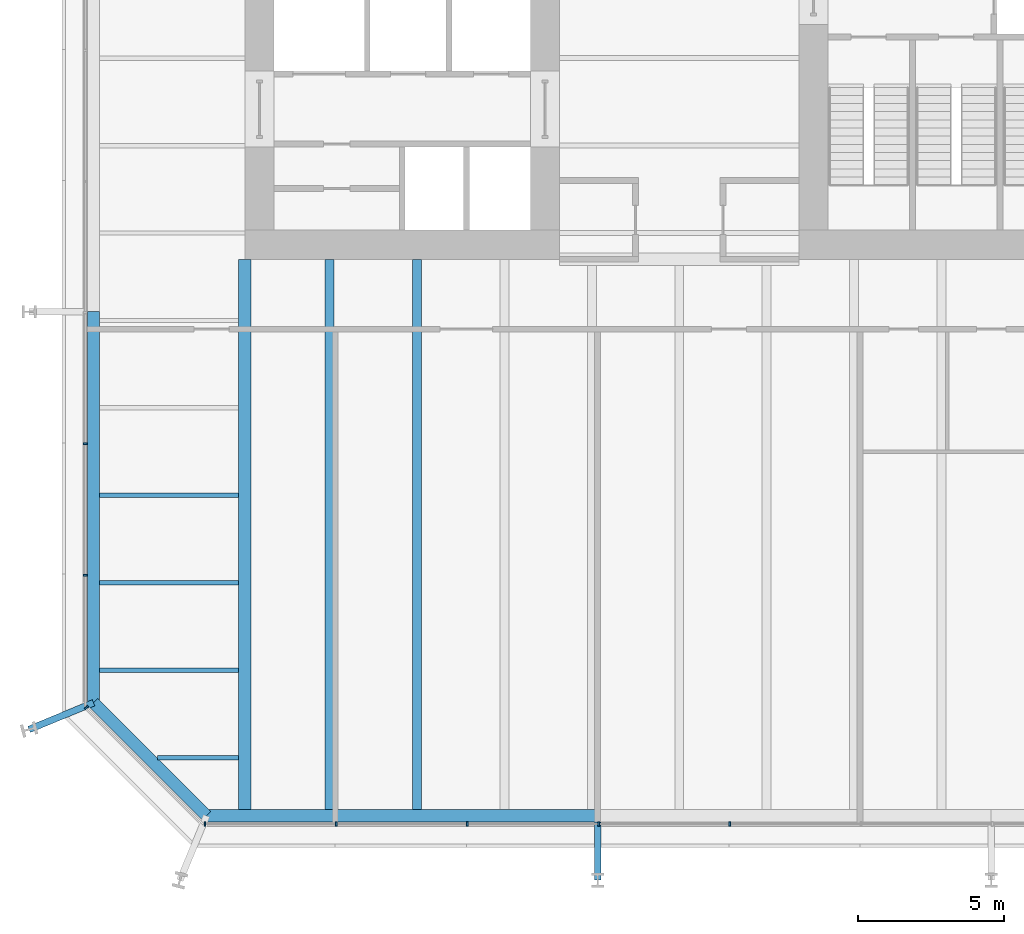
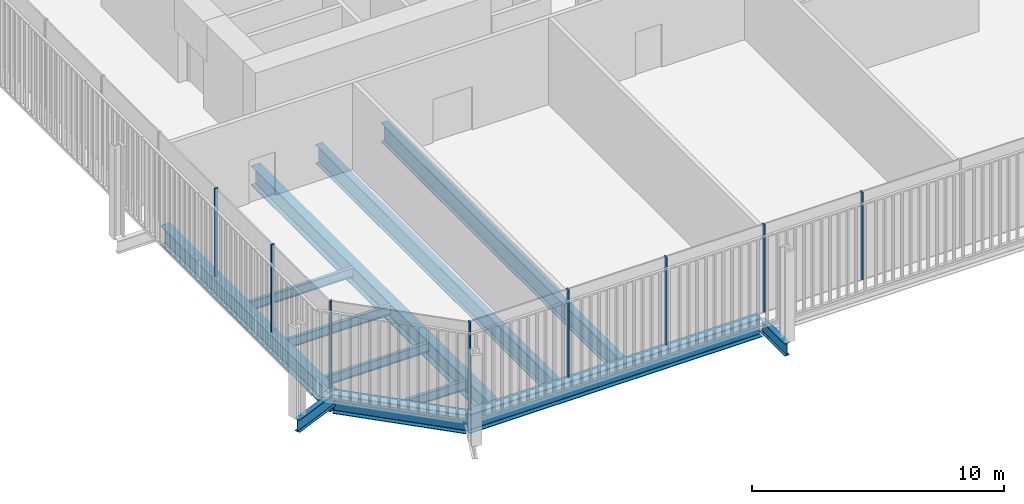
# One storey, part 2 of 20: 12 beams, 8 members, 3 elements without a shape of their own.
"""IFC4 building model written with IfcOpenShell, lengths in metres."""

from ifc_helpers import new_model, si_unit, direction, frame, origin, origin_2d, place, context, subcontext, project, spatial, rectangle, i_section, extrude, material, layer, layer_set, material_profile, profile_set, type_object, element, aggregate, save


model = new_model("IFC4")

# Units and contexts
model_context = context("Model", 3, precision=1e-05, world=origin(), true_north=direction((0.0, 1.0)))
body_context = subcontext(model_context, "Body", "Model", "MODEL_VIEW")
ifc_project = project(units=[si_unit("LENGTHUNIT", "METRE"), si_unit("AREAUNIT", "SQUARE_METRE"), si_unit("VOLUMEUNIT", "CUBIC_METRE"), si_unit("PLANEANGLEUNIT", "RADIAN"), si_unit("MASSUNIT", "GRAM", prefix="KILO")], contexts=[model_context])

# Site, building, storey
site_placement = place(None, origin())
site = spatial("IfcSite", under=ifc_project, at=site_placement, CompositionType="ELEMENT")
building_placement = place(site_placement, origin())
building = spatial("IfcBuilding", under=site, at=building_placement, Name="Millrace Tower", CompositionType="ELEMENT")
storey_placement = place(building_placement, frame((0.0, 0.0, 99.60009765625)))
storey = spatial("IfcBuildingStorey", under=building, at=storey_placement, Name="L22", CompositionType="ELEMENT", Elevation=99.60009765625)

# Curtain wall, member
ifc_material_1 = material(Name="Aluminium and glass", Category="aluminium")
ifc_layer = layer(ifc_material_1, 0.14990234375)
ifc_layer_set = layer_set([ifc_layer], Name="Aluminium and glass")
curtain_wall_type = type_object("IfcCurtainWallType", Name="CW-3 telecom floor curtain wall", PredefinedType="NOTDEFINED", material=ifc_layer_set)
placement = place(storey_placement, origin())
curtain_wall_1 = element("IfcCurtainWall", 1, at=placement, inside=storey, type_object=curtain_wall_type, Name="Curtain wall B-F01 L22", PredefinedType="NOTDEFINED")
ifc_material_2 = material(Name="Aluminium", Category="aluminium")
ifc_material_profile_1 = material_profile(ifc_material_2, rectangle(XDim=0.06494140625, YDim=0.14990234375, at=origin_2d()))
ifc_profile_set_1 = profile_set([ifc_material_profile_1], Name="Aluminium")
member_type = type_object("IfcMemberType", Name="CW-3 telecom floor curtain wall mullion", PredefinedType="MULLION", material=ifc_profile_set_1)
member_1_placement = place(storey_placement, frame((-20.330078125, -25.276123046875, 0.14990234375), z_axis=(0.0, 0.0, 1.0), x_axis=(0.707106781187, -0.707106781187, 0.0)))
member_1 = element("IfcMember", 2, at=member_1_placement, type_object=member_type, Name="CW3 mullion B-F01.1", PredefinedType="MULLION", context=body_context, shape_type="SweptSolid", body=[
    extrude(rectangle(XDim=0.06494140625, YDim=0.14990234375, at=origin_2d()), origin(), (0.0, 0.0, 1.0), 4.25),
])
aggregate(curtain_wall_1, [member_1])

# Curtain wall, members
curtain_wall_2 = element("IfcCurtainWall", 3, at=placement, inside=storey, type_object=curtain_wall_type, Name="Curtain wall B-F02 L22", PredefinedType="NOTDEFINED")
member_2_placement = place(storey_placement, frame((-16.267578125, -29.27490234375, 0.14990234375), z_axis=(0.0, 0.0, 1.0), x_axis=(1.0, 0.0, 0.0)))
member_2 = element("IfcMember", 4, at=member_2_placement, type_object=member_type, Name="CW3 mullion B-F02.1", PredefinedType="MULLION", context=body_context, shape_type="SweptSolid", body=[
    extrude(rectangle(XDim=0.06494140625, YDim=0.14990234375, at=origin_2d()), origin(), (0.0, 0.0, 1.0), 4.25),
])
member_3_placement = place(storey_placement, frame((-11.767578125, -29.27490234375, 0.14990234375), z_axis=(0.0, 0.0, 1.0), x_axis=(1.0, 0.0, 0.0)))
member_3 = element("IfcMember", 5, at=member_3_placement, type_object=member_type, Name="CW3 mullion B-F02.2", PredefinedType="MULLION", context=body_context, shape_type="SweptSolid", body=[
    extrude(rectangle(XDim=0.06494140625, YDim=0.14990234375, at=origin_2d()), origin(), (0.0, 0.0, 1.0), 4.25),
])
member_4_placement = place(storey_placement, frame((-7.267578125, -29.27490234375, 0.14990234375), z_axis=(0.0, 0.0, 1.0), x_axis=(1.0, 0.0, 0.0)))
member_4 = element("IfcMember", 6, at=member_4_placement, type_object=member_type, Name="CW3 mullion B-F02.3", PredefinedType="MULLION", context=body_context, shape_type="SweptSolid", body=[
    extrude(rectangle(XDim=0.06494140625, YDim=0.14990234375, at=origin_2d()), origin(), (0.0, 0.0, 1.0), 4.25),
])
member_5_placement = place(storey_placement, frame((-2.767578125, -29.27490234375, 0.14990234375), z_axis=(0.0, 0.0, 1.0), x_axis=(1.0, 0.0, 0.0)))
member_5 = element("IfcMember", 7, at=member_5_placement, type_object=member_type, Name="CW3 mullion B-F02.4", PredefinedType="MULLION", context=body_context, shape_type="SweptSolid", body=[
    extrude(rectangle(XDim=0.06494140625, YDim=0.14990234375, at=origin_2d()), origin(), (0.0, 0.0, 1.0), 4.25),
])
member_6_placement = place(storey_placement, frame((1.732421875, -29.27490234375, 0.14990234375), z_axis=(0.0, 0.0, 1.0), x_axis=(1.0, 0.0, 0.0)))
member_6 = element("IfcMember", 8, at=member_6_placement, type_object=member_type, Name="CW3 mullion B-F02.5", PredefinedType="MULLION", context=body_context, shape_type="SweptSolid", body=[
    extrude(rectangle(XDim=0.06494140625, YDim=0.14990234375, at=origin_2d()), origin(), (0.0, 0.0, 1.0), 4.25),
])
aggregate(curtain_wall_2, [member_2, member_3, member_4, member_5, member_6])

curtain_wall_3 = element("IfcCurtainWall", 9, at=placement, inside=storey, type_object=curtain_wall_type, Name="Curtain wall B-F08 L22", PredefinedType="NOTDEFINED")
member_7_placement = place(storey_placement, frame((-20.375, -16.232421875, 0.14990234375), z_axis=(0.0, 0.0, 1.0), x_axis=(0.0, -1.0, 0.0)))
member_7 = element("IfcMember", 10, at=member_7_placement, type_object=member_type, Name="CW3 mullion B-F08.8", PredefinedType="MULLION", context=body_context, shape_type="SweptSolid", body=[
    extrude(rectangle(XDim=0.06494140625, YDim=0.14990234375, at=origin_2d()), origin(), (0.0, 0.0, 1.0), 4.25),
])
member_8_placement = place(storey_placement, frame((-20.375, -20.732421875, 0.14990234375), z_axis=(0.0, 0.0, 1.0), x_axis=(0.0, -1.0, 0.0)))
member_8 = element("IfcMember", 11, at=member_8_placement, type_object=member_type, Name="CW3 mullion B-F08.9", PredefinedType="MULLION", context=body_context, shape_type="SweptSolid", body=[
    extrude(rectangle(XDim=0.06494140625, YDim=0.14990234375, at=origin_2d()), origin(), (0.0, 0.0, 1.0), 4.25),
])
aggregate(curtain_wall_3, [member_7, member_8])

# Beams
ifc_material_3 = material(Name="Steel ASTM A992 Grade 50", Category="steel")
ifc_material_profile_2 = material_profile(ifc_material_3, i_section(OverallWidth=0.15234375, OverallDepth=0.449462890625, WebThickness=0.007568359375, FlangeThickness=0.0107421875, FilletRadius=0.01025390625, at=origin_2d()))
ifc_profile_set_2 = profile_set([ifc_material_profile_2], Name="Steel ASTM A992 Grade 50")
beam_type_1 = type_object("IfcBeamType", Name="Floor beam W18x35", PredefinedType="JOIST", material=ifc_profile_set_2)
for number, where, z_axis, x_axis, name in (
    (12, (-19.880859375, -24.0, -0.4248046875), (1.0, 0.0, 0.0), (0.0, 1.0, 0.0), "BM-B-L22-S1-S003"),
    (13, (-19.880859375, -21.0, -0.4248046875), (1.0, 0.0, 0.0), (0.0, 1.0, 0.0), "BM-B-L22-S1-S005"),
    (14, (-19.880859375, -18.0, -0.4248046875), (1.0, 0.0, 0.0), (0.0, 1.0, 0.0), "BM-B-L22-S1-S007"),
):
    element("IfcBeam", number, at=place(storey_placement, frame(where, z_axis=z_axis, x_axis=x_axis)), inside=storey, type_object=beam_type_1, Name=name, PredefinedType="JOIST", context=body_context, shape_type="SweptSolid", body=[
        extrude(i_section(OverallWidth=0.15234375, OverallDepth=0.449462890625, WebThickness=0.007568359375, FlangeThickness=0.0107421875, FilletRadius=0.01025390625, at=origin_2d()), origin(), (0.0, 0.0, 1.0), 4.77001953125),
    ])
beam_1_placement = place(storey_placement, frame((-17.895263671875, -27.0, -0.4248046875), z_axis=(1.0, 0.0, 0.0), x_axis=(0.0, 1.0, 0.0)))
element("IfcBeam", 15, at=beam_1_placement, inside=storey, type_object=beam_type_1, Name="BM-B-L22-S1-S001", PredefinedType="JOIST", context=body_context, shape_type="SweptSolid", body=[
    extrude(i_section(OverallWidth=0.15234375, OverallDepth=0.449462890625, WebThickness=0.007568359375, FlangeThickness=0.0107421875, FilletRadius=0.01025390625, at=origin_2d()), origin(), (0.0, 0.0, 1.0), 2.784423828125),
])
ifc_material_4 = material(Name="Steel ASTM A992 Grade 50", Category="steel")
ifc_material_profile_3 = material_profile(ifc_material_4, i_section(OverallWidth=0.307373046875, OverallDepth=0.927001953125, WebThickness=0.01953125, FlangeThickness=0.031982421875, FilletRadius=0.01904296875, at=origin_2d()))
ifc_profile_set_3 = profile_set([ifc_material_profile_3], Name="Steel ASTM A992 Grade 50")
beam_type_2 = type_object("IfcBeamType", Name="Floor beam W36x194", PredefinedType="JOIST", material=ifc_profile_set_3)
for number, where, z_axis, x_axis, name in (
    (16, (-12.0, -28.781005859375, -0.66357421875), (0.0, 1.0, 0.0), (-1.0, 0.0, 0.0), "BM-B-L22-S1-S041"),
    (17, (-9.0, -28.781005859375, -0.66357421875), (0.0, 1.0, 0.0), (-1.0, 0.0, 0.0), "BM-B-L22-S1-S043"),
):
    element("IfcBeam", number, at=place(storey_placement, frame(where, z_axis=z_axis, x_axis=x_axis)), inside=storey, type_object=beam_type_2, Name=name, PredefinedType="JOIST", context=body_context, shape_type="SweptSolid", body=[
        extrude(i_section(OverallWidth=0.307373046875, OverallDepth=0.927001953125, WebThickness=0.01953125, FlangeThickness=0.031982421875, FilletRadius=0.01904296875, at=origin_2d()), origin(), (0.0, 0.0, 1.0), 18.881103515625),
    ])
ifc_material_5 = material(Name="Steel ASTM A992 Grade 50", Category="steel")
ifc_material_profile_4 = material_profile(ifc_material_5, i_section(OverallWidth=0.424072265625, OverallDepth=0.947509765625, WebThickness=0.02392578125, FlangeThickness=0.042724609375, FilletRadius=0.024169921875, at=origin_2d()))
ifc_profile_set_4 = profile_set([ifc_material_profile_4], Name="Steel ASTM A992 Grade 50")
beam_type_3 = type_object("IfcBeamType", Name="Girder medium span W36x302", PredefinedType="BEAM", material=ifc_profile_set_4)
beam_2_placement = place(storey_placement, frame((-14.89990234375, -28.781005859375, -0.673828125), z_axis=(0.0, 1.0, 0.0), x_axis=(-1.0, 0.0, 0.0)))
element("IfcBeam", 18, at=beam_2_placement, inside=storey, type_object=beam_type_3, Name="BM-B-L22-S1-G059", PredefinedType="BEAM", context=body_context, shape_type="SweptSolid", body=[
    extrude(i_section(OverallWidth=0.424072265625, OverallDepth=0.947509765625, WebThickness=0.02392578125, FlangeThickness=0.042724609375, FilletRadius=0.024169921875, at=origin_2d()), origin(), (0.0, 0.0, 1.0), 18.881103515625),
])
ifc_material_6 = material(Name="Steel ASTM A992 Grade 50", Category="steel")
ifc_material_profile_5 = material_profile(ifc_material_6, i_section(OverallWidth=0.23046875, OverallDepth=0.6171875, WebThickness=0.01318359375, FlangeThickness=0.022216796875, FilletRadius=0.012939453125, at=origin_2d()))
ifc_profile_set_5 = profile_set([ifc_material_profile_5], Name="Steel ASTM A992 Grade 50")
beam_type_4 = type_object("IfcBeamType", Name="Link beam W24x94", PredefinedType="BEAM", material=ifc_profile_set_5)
beam_3_placement = place(storey_placement, frame((-20.09033203125, -25.11328125, -0.5087890625), z_axis=(-0.923917312949, -0.382592209583, 0.0), x_axis=(0.382592209583, -0.923917312949, 0.0)))
element("IfcBeam", 19, at=beam_3_placement, inside=storey, type_object=beam_type_4, Name="LNK-B-L22-S1-01", PredefinedType="BEAM", context=body_context, shape_type="SweptSolid", body=[
    extrude(i_section(OverallWidth=0.23046875, OverallDepth=0.6171875, WebThickness=0.01318359375, FlangeThickness=0.022216796875, FilletRadius=0.012939453125, at=origin_2d()), origin(), (0.0, 0.0, 1.0), 2.3916015625),
])
beam_4_placement = place(storey_placement, frame((-2.800048828125, -29.199951171875, -0.5087890625), z_axis=(0.0, -1.0, 0.0), x_axis=(1.0, 0.0, 0.0)))
element("IfcBeam", 20, at=beam_4_placement, inside=storey, type_object=beam_type_4, Name="LNK-B-L22-S1-15", PredefinedType="BEAM", context=body_context, shape_type="SweptSolid", body=[
    extrude(i_section(OverallWidth=0.23046875, OverallDepth=0.6171875, WebThickness=0.01318359375, FlangeThickness=0.022216796875, FilletRadius=0.012939453125, at=origin_2d()), origin(), (0.0, 0.0, 1.0), 2.0),
])
ifc_material_7 = material(Name="Steel ASTM A992 Grade 50", Category="steel")
ifc_material_profile_6 = material_profile(ifc_material_7, i_section(OverallWidth=0.419189453125, OverallDepth=0.927001953125, WebThickness=0.019287109375, FlangeThickness=0.031982421875, FilletRadius=0.024169921875, at=origin_2d()))
ifc_profile_set_6 = profile_set([ifc_material_profile_6], Name="Steel ASTM A992 Grade 50")
beam_type_5 = type_object("IfcBeamType", Name="Ring beam medium span W36x231", PredefinedType="SPANDREL", material=ifc_profile_set_6)
beam_5_placement = place(storey_placement, frame((-20.09033203125, -25.11328125, -0.66357421875), z_axis=(0.0, 1.0, 0.0), x_axis=(-1.0, 0.0, 0.0)))
element("IfcBeam", 21, at=beam_5_placement, inside=storey, type_object=beam_type_5, Name="RNG-B-L22-S1-01", PredefinedType="SPANDREL", context=body_context, shape_type="SweptSolid", body=[
    extrude(i_section(OverallWidth=0.419189453125, OverallDepth=0.927001953125, WebThickness=0.019287109375, FlangeThickness=0.031982421875, FilletRadius=0.024169921875, at=origin_2d()), origin(), (0.0, 0.0, 1.0), 13.413330078125),
])
beam_6_placement = place(storey_placement, frame((-2.800048828125, -28.990478515625, -0.66357421875), z_axis=(-1.0, 0.0, 0.0), x_axis=(0.0, -1.0, 0.0)))
element("IfcBeam", 22, at=beam_6_placement, inside=storey, type_object=beam_type_5, Name="RNG-B-L22-S1-15", PredefinedType="SPANDREL", context=body_context, shape_type="SweptSolid", body=[
    extrude(i_section(OverallWidth=0.419189453125, OverallDepth=0.927001953125, WebThickness=0.019287109375, FlangeThickness=0.031982421875, FilletRadius=0.024169921875, at=origin_2d()), origin(), (0.0, 0.0, 1.0), 13.4130859375),
])
ifc_material_8 = material(Name="Steel ASTM A992 Grade 50", Category="steel")
ifc_material_profile_7 = material_profile(ifc_material_8, i_section(OverallWidth=0.419189453125, OverallDepth=0.927001953125, WebThickness=0.019287109375, FlangeThickness=0.031982421875, FilletRadius=0.024169921875, at=origin_2d()))
ifc_profile_set_7 = profile_set([ifc_material_profile_7], Name="Steel ASTM A992 Grade 50")
beam_type_6 = type_object("IfcBeamType", Name="Ring beam short span W36x231", PredefinedType="SPANDREL", material=ifc_profile_set_7)
beam_7_placement = place(storey_placement, frame((-16.213134765625, -28.990478515625, -0.66357421875), z_axis=(-0.707106781187, 0.707106781187, 0.0), x_axis=(-0.707106781187, -0.707106781187, 0.0)))
element("IfcBeam", 23, at=beam_7_placement, inside=storey, type_object=beam_type_6, Name="RNG-B-L22-S1-16", PredefinedType="SPANDREL", context=body_context, shape_type="SweptSolid", body=[
    extrude(i_section(OverallWidth=0.419189453125, OverallDepth=0.927001953125, WebThickness=0.019287109375, FlangeThickness=0.031982421875, FilletRadius=0.024169921875, at=origin_2d()), origin(), (0.0, 0.0, 1.0), 5.483154296875),
])

save(model, "model.ifc")
